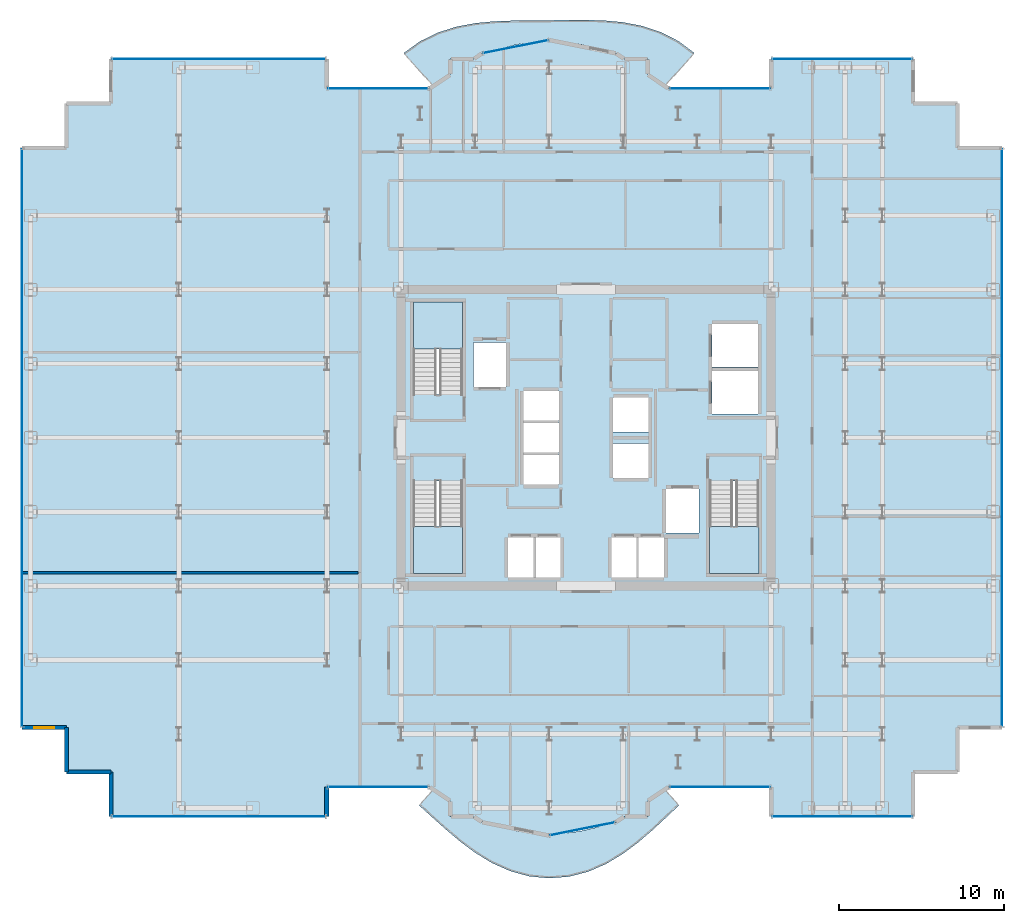
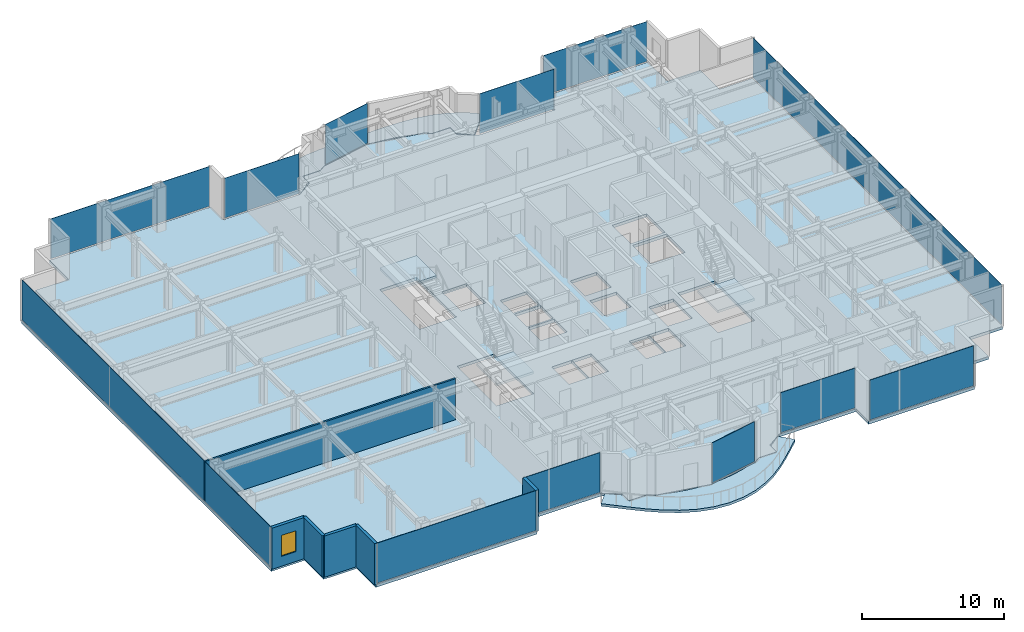
# One storey, part 14 of 23: 12 plates, 6 slabs, 6 walls, 1 window, 1 opening, 15 elements without a shape of their own.
"""IFC4 building model written with IfcOpenShell, lengths in metres."""

from ifc_helpers import new_model, si_unit, direction, frame, frame_2d, origin, origin_2d, place, context, subcontext, project, spatial, polyline, rectangle, outline, extrude, source, transform, mapped, material, layer, layer_set, type_object, element, fill, aggregate, save


model = new_model("IFC4")

# Units and contexts
model_context = context("Model", 3, precision=1e-05, world=origin(), true_north=direction((0.0, 1.0)))
body_context = subcontext(model_context, "Body", "Model", "MODEL_VIEW")
ifc_project = project(units=[si_unit("LENGTHUNIT", "METRE"), si_unit("AREAUNIT", "SQUARE_METRE"), si_unit("VOLUMEUNIT", "CUBIC_METRE"), si_unit("PLANEANGLEUNIT", "RADIAN"), si_unit("MASSUNIT", "GRAM", prefix="KILO")], contexts=[model_context])

# Site, building, storey
site_placement = place(None, origin())
site = spatial("IfcSite", under=ifc_project, at=site_placement, CompositionType="ELEMENT")
building_placement = place(site_placement, origin())
building = spatial("IfcBuilding", under=site, at=building_placement, Name="Nefas-Gora Pilgrimage Tower", CompositionType="ELEMENT")
storey_placement = place(building_placement, frame((0.0, 0.0, 156.39990234375)))
storey = spatial("IfcBuildingStorey", under=building, at=storey_placement, Name="L38", CompositionType="ELEMENT", Elevation=156.39990234375)

# Slabs
ifc_material_1 = material(Name="Concrete C40/50", Category="concrete")
ifc_layer_1 = layer(ifc_material_1, 0.22998046875)
ifc_layer_set_1 = layer_set([ifc_layer_1], Name="Concrete C40/50")
slab_type_1 = type_object("IfcSlabType", Name="SLB-BAL-P2", PredefinedType="FLOOR", material=ifc_layer_set_1)
slab_1_placement = place(storey_placement, frame((0.0, 0.0, -0.22998046875)))
element("IfcSlab", 1, at=slab_1_placement, inside=storey, type_object=slab_type_1, Name="L38 Sinusoidal Lobe Balcony Slab N (Phase 2)", PredefinedType="FLOOR", context=body_context, shape_type="SweptSolid", body=[
    extrude(outline(polyline([(-9.28759765625, 21.385986328125), (-9.224609375, 21.427978515625), (-8.538330078125, 21.9912109375), (-8.260009765625, 22.179931640625), (-8.260009765625, 23.02001953125), (-8.260009765625, 23.02099609375), (-8.259765625, 23.02197265625), (-8.259521484375, 23.02294921875), (-8.25927734375, 23.023681640625), (-8.2587890625, 23.024658203125), (-8.25830078125, 23.025634765625), (-8.2578125, 23.0263671875), (-8.257080078125, 23.027099609375), (-8.25634765625, 23.027587890625), (-8.255615234375, 23.0283203125), (-8.254638671875, 23.02880859375), (-8.25390625, 23.029296875), (-8.2529296875, 23.029541015625), (-8.251953125, 23.02978515625), (-8.2509765625, 23.030029296875), (-8.25, 23.030029296875), (-6.8271484375, 23.030029296875), (-6.31298828125, 23.37353515625), (-6.31201171875, 23.3740234375), (-6.311279296875, 23.37451171875), (-6.310302734375, 23.375), (-6.309326171875, 23.375), (-5.63037109375, 23.51025390625), (-5.102783203125, 23.685302734375), (-4.165283203125, 23.904052734375), (-3.211669921875, 24.035888671875), (-2.919921875, 24.04931640625), (-2.251953125, 24.18212890625), (-2.2509765625, 24.182373046875), (-2.25, 24.182373046875), (-2.2490234375, 24.182373046875), (-2.248046875, 24.18212890625), (-1.580078125, 24.04931640625), (-1.288330078125, 24.035888671875), (-0.334716796875, 23.904052734375), (0.602783203125, 23.685302734375), (1.13037109375, 23.51025390625), (1.809326171875, 23.375), (1.810302734375, 23.375), (1.811279296875, 23.37451171875), (1.81201171875, 23.3740234375), (1.81298828125, 23.37353515625), (2.3271484375, 23.030029296875), (3.75, 23.030029296875), (3.7509765625, 23.030029296875), (3.751953125, 23.02978515625), (3.7529296875, 23.029541015625), (3.75390625, 23.029296875), (3.754638671875, 23.02880859375), (3.755615234375, 23.0283203125), (3.75634765625, 23.027587890625), (3.757080078125, 23.027099609375), (3.7578125, 23.0263671875), (3.75830078125, 23.025634765625), (3.7587890625, 23.024658203125), (3.75927734375, 23.023681640625), (3.759521484375, 23.02294921875), (3.759765625, 23.02197265625), (3.760009765625, 23.02099609375), (3.760009765625, 23.02001953125), (3.760009765625, 22.179931640625), (4.038330078125, 21.9912109375), (4.724609375, 21.427978515625), (4.78759765625, 21.385986328125), (6.58251953125, 23.37939453125), (5.61669921875, 24.10498046875), (4.54248046875, 24.654296875), (3.401611328125, 25.0302734375), (2.23486328125, 25.25341796875), (1.074951171875, 25.359130859375), (-0.059326171875, 25.389404296875), (-1.16455078125, 25.3837890625), (-2.25, 25.37060546875), (-3.33349609375, 25.36181640625), (-4.43310546875, 25.349365234375), (-5.560302734375, 25.307861328125), (-6.714111328125, 25.19921875), (-7.87744140625, 24.9814453125), (-9.0205078125, 24.618408203125), (-10.102294921875, 24.085693359375), (-11.080810546875, 23.377685546875), (-9.28759765625, 21.385986328125)])), origin(), (0.0, 0.0, 1.0), 0.22998046875),
])
ifc_layer_2 = layer(ifc_material_1, 0.219970703125)
ifc_layer_set_2 = layer_set([ifc_layer_2], Name="Concrete C40/50")
slab_type_2 = type_object("IfcSlabType", Name="SLB-BAL-P6", PredefinedType="FLOOR", material=ifc_layer_set_2)
slab_2_placement = place(storey_placement, frame((0.0, 0.0, -0.219970703125)))
element("IfcSlab", 2, at=slab_2_placement, inside=storey, type_object=slab_type_2, Name="L38 Sinusoidal Lobe Balcony Slab S (Phase 6)", PredefinedType="FLOOR", context=body_context, shape_type="SweptSolid", body=[
    extrude(outline(polyline([(4.78759765625, -21.385986328125), (4.724609375, -21.427978515625), (4.038330078125, -21.9912109375), (3.760009765625, -22.179931640625), (3.760009765625, -23.02001953125), (3.760009765625, -23.02099609375), (3.759765625, -23.02197265625), (3.759521484375, -23.02294921875), (3.75927734375, -23.023681640625), (3.7587890625, -23.024658203125), (3.75830078125, -23.025634765625), (3.7578125, -23.0263671875), (3.757080078125, -23.027099609375), (3.75634765625, -23.027587890625), (3.755615234375, -23.0283203125), (3.754638671875, -23.02880859375), (3.75390625, -23.029296875), (3.7529296875, -23.029541015625), (3.751953125, -23.02978515625), (3.7509765625, -23.030029296875), (3.75, -23.030029296875), (2.3271484375, -23.030029296875), (1.81298828125, -23.37353515625), (1.81201171875, -23.3740234375), (1.811279296875, -23.37451171875), (1.810302734375, -23.375), (1.809326171875, -23.375), (1.13037109375, -23.51025390625), (0.602783203125, -23.685302734375), (-0.334716796875, -23.904052734375), (-1.288330078125, -24.035888671875), (-1.580078125, -24.04931640625), (-2.248046875, -24.18212890625), (-2.2490234375, -24.182373046875), (-2.25, -24.182373046875), (-2.2509765625, -24.182373046875), (-2.251953125, -24.18212890625), (-2.919921875, -24.04931640625), (-3.211669921875, -24.035888671875), (-4.165283203125, -23.904052734375), (-5.102783203125, -23.685302734375), (-5.63037109375, -23.51025390625), (-6.309326171875, -23.375), (-6.310302734375, -23.375), (-6.311279296875, -23.37451171875), (-6.31201171875, -23.3740234375), (-6.31298828125, -23.37353515625), (-6.8271484375, -23.030029296875), (-8.25, -23.030029296875), (-8.2509765625, -23.030029296875), (-8.251953125, -23.02978515625), (-8.2529296875, -23.029541015625), (-8.25390625, -23.029296875), (-8.254638671875, -23.02880859375), (-8.255615234375, -23.0283203125), (-8.25634765625, -23.027587890625), (-8.257080078125, -23.027099609375), (-8.2578125, -23.0263671875), (-8.25830078125, -23.025634765625), (-8.2587890625, -23.024658203125), (-8.25927734375, -23.023681640625), (-8.259521484375, -23.02294921875), (-8.259765625, -23.02197265625), (-8.260009765625, -23.02099609375), (-8.260009765625, -23.02001953125), (-8.260009765625, -22.179931640625), (-8.538330078125, -21.9912109375), (-9.224609375, -21.427978515625), (-9.28759765625, -21.385986328125), (-10.145751953125, -22.339111328125), (-9.34130859375, -23.06640625), (-8.52001953125, -23.801513671875), (-7.65576171875, -24.53173828125), (-6.724365234375, -25.226318359375), (-5.711181640625, -25.84228515625), (-4.615234375, -26.33203125), (-3.451904296875, -26.6513671875), (-2.25, -26.769287109375), (-1.0458984375, -26.67333984375), (0.122802734375, -26.3720703125), (1.2255859375, -25.8935546875), (2.2451171875, -25.280517578125), (3.1796875, -24.580322265625), (4.0419921875, -23.837646484375), (4.855712890625, -23.085693359375), (5.6474609375, -22.3408203125), (4.78759765625, -21.385986328125)])), origin(), (0.0, 0.0, 1.0), 0.219970703125),
])
ifc_layer_3 = layer(ifc_material_1, 0.25)
ifc_layer_set_3 = layer_set([ifc_layer_3], Name="Concrete C40/50")
slab_type_3 = type_object("IfcSlabType", Name="SLB-TWR-250", PredefinedType="FLOOR", material=ifc_layer_set_3)
slab_3_placement = place(storey_placement, frame((0.0, 0.0, -0.25)))
element("IfcSlab", 3, at=slab_3_placement, inside=storey, type_object=slab_type_3, Name="L38 Structural Floor Slab", PredefinedType="FLOOR", context=body_context, shape_type="SweptSolid", body=[
    extrude(outline(polyline([(5.01806640625, -21.219970703125), (11.25, -21.219970703125), (11.25, -23.02001953125), (19.8701171875, -23.02001953125), (19.8701171875, -20.320068359375), (22.570068359375, -20.320068359375), (22.570068359375, -17.6201171875), (25.27001953125, -17.6201171875), (25.27001953125, 17.6201171875), (22.570068359375, 17.6201171875), (22.570068359375, 20.320068359375), (19.8701171875, 20.320068359375), (19.8701171875, 23.02001953125), (11.25, 23.02001953125), (11.25, 21.219970703125), (5.01806640625, 21.219970703125), (3.75, 22.0673828125), (3.75, 23.02001953125), (2.32421875, 23.02001953125), (1.807373046875, 23.365234375), (-2.25, 24.17236328125), (-6.307373046875, 23.365234375), (-6.82421875, 23.02001953125), (-8.25, 23.02001953125), (-8.25, 22.0673828125), (-9.51806640625, 21.219970703125), (-15.75, 21.219970703125), (-15.75, 23.02001953125), (-28.8701171875, 23.02001953125), (-28.8701171875, 20.320068359375), (-31.570068359375, 20.320068359375), (-31.570068359375, 17.6201171875), (-34.27001953125, 17.6201171875), (-34.27001953125, -17.6201171875), (-31.570068359375, -17.6201171875), (-31.570068359375, -20.320068359375), (-28.8701171875, -20.320068359375), (-28.8701171875, -23.02001953125), (-15.75, -23.02001953125), (-15.75, -21.219970703125), (-9.51806640625, -21.219970703125), (-8.25, -22.0673828125), (-8.25, -23.02001953125), (-6.82421875, -23.02001953125), (-6.307373046875, -23.365234375), (-2.25, -24.17236328125), (1.807373046875, -23.365234375), (2.32421875, -23.02001953125), (3.75, -23.02001953125), (3.75, -22.0673828125), (5.01806640625, -21.219970703125)]), holes=[polyline([(-10.5, 2.639892578125), (-10.5, 8.25), (-7.5, 8.25), (-7.5, 2.639892578125), (-10.5, 2.639892578125)]), polyline([(10.5, -2.639892578125), (10.5, -8.25), (7.5, -8.25), (7.5, -2.639892578125), (10.5, -2.639892578125)]), polyline([(-7.5, -2.639892578125), (-7.5, -8.25), (-10.5, -8.25), (-10.5, -2.639892578125), (-7.5, -2.639892578125)]), polyline([(-6.85009765625, 5.800048828125), (-4.85009765625, 5.800048828125), (-4.85009765625, 3.10009765625), (-6.85009765625, 3.10009765625), (-6.85009765625, 5.800048828125)]), polyline([(4.85009765625, -3.10009765625), (6.85009765625, -3.10009765625), (6.85009765625, -5.800048828125), (4.85009765625, -5.800048828125), (4.85009765625, -3.10009765625)]), polyline([(7.64990234375, 4.050048828125), (10.449951171875, 4.050048828125), (10.449951171875, 1.449951171875), (7.64990234375, 1.449951171875), (7.64990234375, 4.050048828125)]), polyline([(7.64990234375, 6.89990234375), (10.449951171875, 6.89990234375), (10.449951171875, 4.300048828125), (7.64990234375, 4.300048828125), (7.64990234375, 6.89990234375)]), polyline([(-4.75, -6.050048828125), (-3.14990234375, -6.050048828125), (-3.14990234375, -8.5), (-4.75, -8.5), (-4.75, -6.050048828125)]), polyline([(-3.10009765625, -6.050048828125), (-1.550048828125, -6.050048828125), (-1.550048828125, -8.5), (-3.10009765625, -8.5), (-3.10009765625, -6.050048828125)]), polyline([(1.550048828125, -6.050048828125), (3.10009765625, -6.050048828125), (3.10009765625, -8.5), (1.550048828125, -8.5), (1.550048828125, -6.050048828125)]), polyline([(3.14990234375, -6.050048828125), (4.75, -6.050048828125), (4.75, -8.5), (3.14990234375, -8.5), (3.14990234375, -6.050048828125)]), polyline([(-3.800048828125, -1.050048828125), (-1.64990234375, -1.050048828125), (-1.64990234375, -2.85009765625), (-3.800048828125, -2.85009765625), (-3.800048828125, -1.050048828125)]), polyline([(-3.800048828125, 0.89990234375), (-1.64990234375, 0.89990234375), (-1.64990234375, -0.89990234375), (-3.800048828125, -0.89990234375), (-3.800048828125, 0.89990234375)]), polyline([(-3.800048828125, 2.85009765625), (-1.64990234375, 2.85009765625), (-1.64990234375, 1.050048828125), (-3.800048828125, 1.050048828125), (-3.800048828125, 2.85009765625)]), polyline([(1.64990234375, -0.35009765625), (3.800048828125, -0.35009765625), (3.800048828125, -2.449951171875), (1.64990234375, -2.449951171875), (1.64990234375, -0.35009765625)]), polyline([(1.64990234375, 2.449951171875), (3.800048828125, 2.449951171875), (3.800048828125, 0.35009765625), (1.64990234375, 0.35009765625), (1.64990234375, 2.449951171875)])]), origin(), (0.0, 0.0, 1.0), 0.25),
])

# Stair, slab
ifc_material_2 = material(Name="Concrete C45/55", Category="concrete")
stair_type = type_object("IfcStairType", Name="STR-1400-R1727", PredefinedType="HALF_TURN_STAIR", material=ifc_material_2)
stair_1_placement = place(storey_placement, origin())
stair_1 = element("IfcStair", 4, at=stair_1_placement, inside=storey, type_object=stair_type, Name="L38 Pressurised Tower Exit Stair ST-01", PredefinedType="HALF_TURN_STAIR")
ifc_layer_4 = layer(ifc_material_1, 0.199951171875)
ifc_layer_set_4 = layer_set([ifc_layer_4], Name="Concrete C40/50")
slab_type_4 = type_object("IfcSlabType", Name="STR-LAND-200", PredefinedType="LANDING", material=ifc_layer_set_4)
slab_4_placement = place(storey_placement, frame((0.0, 0.0, 1.7001953125)))
slab_4 = element("IfcSlab", 5, at=slab_4_placement, type_object=slab_type_4, Name="ST-01 landing 1", PredefinedType="LANDING", context=body_context, shape_type="SweptSolid", body=[
    extrude(outline(polyline([(-7.5, 5.39990234375), (-7.5, 8.25), (-10.5, 8.25), (-10.5, 5.39990234375), (-7.5, 5.39990234375)])), origin(), (0.0, 0.0, 1.0), 0.199951171875),
])
aggregate(stair_1, [slab_4])

stair_2_placement = place(storey_placement, origin())
stair_2 = element("IfcStair", 6, at=stair_2_placement, inside=storey, type_object=stair_type, Name="L38 Pressurised Tower Exit Stair ST-02", PredefinedType="HALF_TURN_STAIR")
slab_5_placement = place(storey_placement, frame((0.0, 0.0, 1.7001953125)))
slab_5 = element("IfcSlab", 7, at=slab_5_placement, type_object=slab_type_4, Name="ST-02 landing 1", PredefinedType="LANDING", context=body_context, shape_type="SweptSolid", body=[
    extrude(outline(polyline([(7.5, -5.39990234375), (7.5, -8.25), (10.5, -8.25), (10.5, -5.39990234375), (7.5, -5.39990234375)])), origin(), (0.0, 0.0, 1.0), 0.199951171875),
])
aggregate(stair_2, [slab_5])

stair_3_placement = place(storey_placement, origin())
stair_3 = element("IfcStair", 8, at=stair_3_placement, inside=storey, type_object=stair_type, Name="L38 Pressurised Tower Exit Stair ST-03", PredefinedType="HALF_TURN_STAIR")
slab_6_placement = place(storey_placement, frame((0.0, 0.0, 1.7001953125)))
slab_6 = element("IfcSlab", 9, at=slab_6_placement, type_object=slab_type_4, Name="ST-03 landing 1", PredefinedType="LANDING", context=body_context, shape_type="SweptSolid", body=[
    extrude(outline(polyline([(-10.5, -5.39990234375), (-10.5, -8.25), (-7.5, -8.25), (-7.5, -5.39990234375), (-10.5, -5.39990234375)])), origin(), (0.0, 0.0, 1.0), 0.199951171875),
])
aggregate(stair_3, [slab_6])

# Curtain wall, plate
ifc_material_3 = material(Name="Dark ceramic-fritted solar-control aluminium-glass curtain wall", Category="aluminium")
ifc_layer_5 = layer(ifc_material_3, 0.219970703125)
ifc_layer_set_5 = layer_set([ifc_layer_5], Name="Dark ceramic-fritted solar-control aluminium-glass curtain wall")
curtain_wall_type_1 = type_object("IfcCurtainWallType", Name="CW-SYS-5", PredefinedType="NOTDEFINED", material=ifc_layer_set_5)
curtain_wall_1_placement = place(storey_placement, origin())
curtain_wall_1 = element("IfcCurtainWall", 10, at=curtain_wall_1_placement, inside=storey, type_object=curtain_wall_type_1, Name="L38 Unitised Curtain Wall CW5", PredefinedType="NOTDEFINED")
ifc_material_4 = material(Name="Dark ceramic-printed low-e insulated glass", Category="glass")
ifc_layer_6 = layer(ifc_material_4, 0.028076171875)
ifc_layer_set_6 = layer_set([ifc_layer_6], Name="Dark ceramic-printed low-e insulated glass")
plate_type_1 = type_object("IfcPlateType", Name="CWP-PNL-5", PredefinedType="CURTAIN_PANEL", material=ifc_layer_set_6)
shared_shape_1 = source(origin(), body_context, "Body", "SweptSolid", [
    extrude(rectangle(XDim=6.052001953125, YDim=0.028076171875, at=origin_2d()), origin(), (0.0, 0.0, 1.0), 3.43994140625),
])
plate_1_placement = place(storey_placement, frame((8.134033203125, -21.219970703125, 0.10009765625), z_axis=(0.0, 0.0, 1.0), x_axis=(1.0, 0.0, 0.0)))
plate_1 = element("IfcPlate", 11, at=plate_1_placement, type_object=plate_type_1, Name="CW5 Ceramic-Fritted Glazing Panel 1", PredefinedType="CURTAIN_PANEL", context=body_context, shape_type="MappedRepresentation", body=[
    mapped(shared_shape_1, transform((0.0, 0.0, 0.0), x_axis=(1.0, 0.0, 0.0), y_axis=(0.0, 1.0, 0.0), z_axis=(0.0, 0.0, 1.0), scale=1.0)),
])
aggregate(curtain_wall_1, [plate_1])

curtain_wall_2_placement = place(storey_placement, origin())
curtain_wall_2 = element("IfcCurtainWall", 12, at=curtain_wall_2_placement, inside=storey, type_object=curtain_wall_type_1, Name="L38 Unitised Curtain Wall CW5", PredefinedType="NOTDEFINED")
plate_2_placement = place(storey_placement, frame((8.134033203125, 21.219970703125, 0.10009765625), z_axis=(0.0, 0.0, 1.0), x_axis=(-1.0, 0.0, 0.0)))
plate_2 = element("IfcPlate", 13, at=plate_2_placement, type_object=plate_type_1, Name="CW5 Ceramic-Fritted Glazing Panel 1", PredefinedType="CURTAIN_PANEL", context=body_context, shape_type="MappedRepresentation", body=[
    mapped(shared_shape_1, transform((0.0, 0.0, 0.0), x_axis=(1.0, 0.0, 0.0), y_axis=(0.0, 1.0, 0.0), z_axis=(0.0, 0.0, 1.0), scale=1.0)),
])
aggregate(curtain_wall_2, [plate_2])

curtain_wall_3_placement = place(storey_placement, origin())
curtain_wall_3 = element("IfcCurtainWall", 14, at=curtain_wall_3_placement, inside=storey, type_object=curtain_wall_type_1, Name="L38 Unitised Curtain Wall CW5", PredefinedType="NOTDEFINED")
plate_3_placement = place(storey_placement, frame((-12.634033203125, 21.219970703125, 0.10009765625), z_axis=(0.0, 0.0, 1.0), x_axis=(-1.0, 0.0, 0.0)))
plate_3 = element("IfcPlate", 15, at=plate_3_placement, type_object=plate_type_1, Name="CW5 Ceramic-Fritted Glazing Panel 1", PredefinedType="CURTAIN_PANEL", context=body_context, shape_type="MappedRepresentation", body=[
    mapped(shared_shape_1, transform((0.0, 0.0, 0.0), x_axis=(1.0, 0.0, 0.0), y_axis=(0.0, 1.0, 0.0), z_axis=(0.0, 0.0, 1.0), scale=1.0)),
])
aggregate(curtain_wall_3, [plate_3])

curtain_wall_4_placement = place(storey_placement, origin())
curtain_wall_4 = element("IfcCurtainWall", 16, at=curtain_wall_4_placement, inside=storey, type_object=curtain_wall_type_1, Name="L38 Unitised Curtain Wall CW5", PredefinedType="NOTDEFINED")
plate_4_placement = place(storey_placement, frame((-12.634033203125, -21.219970703125, 0.10009765625), z_axis=(0.0, 0.0, 1.0), x_axis=(1.0, 0.0, 0.0)))
plate_4 = element("IfcPlate", 17, at=plate_4_placement, type_object=plate_type_1, Name="CW5 Ceramic-Fritted Glazing Panel 1", PredefinedType="CURTAIN_PANEL", context=body_context, shape_type="MappedRepresentation", body=[
    mapped(shared_shape_1, transform((0.0, 0.0, 0.0), x_axis=(1.0, 0.0, 0.0), y_axis=(0.0, 1.0, 0.0), z_axis=(0.0, 0.0, 1.0), scale=1.0)),
])
aggregate(curtain_wall_4, [plate_4])

curtain_wall_5_placement = place(storey_placement, origin())
curtain_wall_5 = element("IfcCurtainWall", 18, at=curtain_wall_5_placement, inside=storey, type_object=curtain_wall_type_1, Name="L38 Unitised Curtain Wall CW5", PredefinedType="NOTDEFINED")
shared_shape_2 = source(origin(), body_context, "Body", "SweptSolid", [
    extrude(rectangle(XDim=3.956787109375, YDim=0.028076171875, at=origin_2d()), origin(), (0.0, 0.0, 1.0), 3.43994140625),
])
plate_5_placement = place(storey_placement, frame((-4.278564453125, 23.768798828125, 0.10009765625), z_axis=(0.0, 0.0, 1.0), x_axis=(-0.980782896852, -0.195102304554, 0.0)))
plate_5 = element("IfcPlate", 19, at=plate_5_placement, type_object=plate_type_1, Name="CW5 Ceramic-Fritted Glazing Panel 1", PredefinedType="CURTAIN_PANEL", context=body_context, shape_type="MappedRepresentation", body=[
    mapped(shared_shape_2, transform((0.0, 0.0, 0.0), x_axis=(1.0, 0.0, 0.0), y_axis=(0.0, 1.0, 0.0), z_axis=(0.0, 0.0, 1.0), scale=1.0)),
])
aggregate(curtain_wall_5, [plate_5])

curtain_wall_6_placement = place(storey_placement, origin())
curtain_wall_6 = element("IfcCurtainWall", 20, at=curtain_wall_6_placement, inside=storey, type_object=curtain_wall_type_1, Name="L38 Unitised Curtain Wall CW5", PredefinedType="NOTDEFINED")
plate_6_placement = place(storey_placement, frame((-0.221435546875, -23.768798828125, 0.10009765625), z_axis=(0.0, 0.0, 1.0), x_axis=(0.980782896852, 0.195102304554, 0.0)))
plate_6 = element("IfcPlate", 21, at=plate_6_placement, type_object=plate_type_1, Name="CW5 Ceramic-Fritted Glazing Panel 1", PredefinedType="CURTAIN_PANEL", context=body_context, shape_type="MappedRepresentation", body=[
    mapped(shared_shape_2, transform((0.0, 0.0, 0.0), x_axis=(1.0, 0.0, 0.0), y_axis=(0.0, 1.0, 0.0), z_axis=(0.0, 0.0, 1.0), scale=1.0)),
])
aggregate(curtain_wall_6, [plate_6])

ifc_layer_7 = layer(ifc_material_3, 0.219970703125)
ifc_layer_set_7 = layer_set([ifc_layer_7], Name="Dark ceramic-fritted solar-control aluminium-glass curtain wall")
curtain_wall_type_2 = type_object("IfcCurtainWallType", Name="CW-SYS-3", PredefinedType="NOTDEFINED", material=ifc_layer_set_7)
curtain_wall_7_placement = place(storey_placement, origin())
curtain_wall_7 = element("IfcCurtainWall", 22, at=curtain_wall_7_placement, inside=storey, type_object=curtain_wall_type_2, Name="L38 Unitised Curtain Wall CW3", PredefinedType="NOTDEFINED")
ifc_layer_8 = layer(ifc_material_4, 0.033935546875)
ifc_layer_set_8 = layer_set([ifc_layer_8], Name="Dark ceramic-printed low-e insulated glass")
plate_type_2 = type_object("IfcPlateType", Name="CWP-PNL-3", PredefinedType="CURTAIN_PANEL", material=ifc_layer_set_8)
shared_shape_3 = source(origin(), body_context, "Body", "SweptSolid", [
    extrude(rectangle(XDim=8.43994140625, YDim=0.033935546875, at=origin_2d()), origin(), (0.0, 0.0, 1.0), 3.43994140625),
])
plate_7_placement = place(storey_placement, frame((15.56005859375, -23.02001953125, 0.10009765625), z_axis=(0.0, 0.0, 1.0), x_axis=(1.0, 0.0, 0.0)))
plate_7 = element("IfcPlate", 23, at=plate_7_placement, type_object=plate_type_2, Name="CW3 Ceramic-Fritted Glazing Panel 1", PredefinedType="CURTAIN_PANEL", context=body_context, shape_type="MappedRepresentation", body=[
    mapped(shared_shape_3, transform((0.0, 0.0, 0.0), x_axis=(1.0, 0.0, 0.0), y_axis=(0.0, 1.0, 0.0), z_axis=(0.0, 0.0, 1.0), scale=1.0)),
])
aggregate(curtain_wall_7, [plate_7])

curtain_wall_8_placement = place(storey_placement, origin())
curtain_wall_8 = element("IfcCurtainWall", 24, at=curtain_wall_8_placement, inside=storey, type_object=curtain_wall_type_2, Name="L38 Unitised Curtain Wall CW3", PredefinedType="NOTDEFINED")
plate_8_placement = place(storey_placement, frame((15.56005859375, 23.02001953125, 0.10009765625), z_axis=(0.0, 0.0, 1.0), x_axis=(-1.0, 0.0, 0.0)))
plate_8 = element("IfcPlate", 25, at=plate_8_placement, type_object=plate_type_2, Name="CW3 Ceramic-Fritted Glazing Panel 1", PredefinedType="CURTAIN_PANEL", context=body_context, shape_type="MappedRepresentation", body=[
    mapped(shared_shape_3, transform((0.0, 0.0, 0.0), x_axis=(1.0, 0.0, 0.0), y_axis=(0.0, 1.0, 0.0), z_axis=(0.0, 0.0, 1.0), scale=1.0)),
])
aggregate(curtain_wall_8, [plate_8])

curtain_wall_9_placement = place(storey_placement, origin())
curtain_wall_9 = element("IfcCurtainWall", 26, at=curtain_wall_9_placement, inside=storey, type_object=curtain_wall_type_2, Name="L38 Unitised Curtain Wall CW3", PredefinedType="NOTDEFINED")
shared_shape_4 = source(origin(), body_context, "Body", "SweptSolid", [
    extrude(rectangle(XDim=12.93994140625, YDim=0.033935546875, at=origin_2d()), origin(), (0.0, 0.0, 1.0), 3.43994140625),
])
plate_9_placement = place(storey_placement, frame((-22.31005859375, 23.02001953125, 0.10009765625), z_axis=(0.0, 0.0, 1.0), x_axis=(-1.0, 0.0, 0.0)))
plate_9 = element("IfcPlate", 27, at=plate_9_placement, type_object=plate_type_2, Name="CW3 Ceramic-Fritted Glazing Panel 1", PredefinedType="CURTAIN_PANEL", context=body_context, shape_type="MappedRepresentation", body=[
    mapped(shared_shape_4, transform((0.0, 0.0, 0.0), x_axis=(1.0, 0.0, 0.0), y_axis=(0.0, 1.0, 0.0), z_axis=(0.0, 0.0, 1.0), scale=1.0)),
])
aggregate(curtain_wall_9, [plate_9])

curtain_wall_10_placement = place(storey_placement, origin())
curtain_wall_10 = element("IfcCurtainWall", 28, at=curtain_wall_10_placement, inside=storey, type_object=curtain_wall_type_2, Name="L38 Unitised Curtain Wall CW3", PredefinedType="NOTDEFINED")
plate_10_placement = place(storey_placement, frame((-22.31005859375, -23.02001953125, 0.10009765625), z_axis=(0.0, 0.0, 1.0), x_axis=(1.0, 0.0, 0.0)))
plate_10 = element("IfcPlate", 29, at=plate_10_placement, type_object=plate_type_2, Name="CW3 Ceramic-Fritted Glazing Panel 1", PredefinedType="CURTAIN_PANEL", context=body_context, shape_type="MappedRepresentation", body=[
    mapped(shared_shape_4, transform((0.0, 0.0, 0.0), x_axis=(1.0, 0.0, 0.0), y_axis=(0.0, 1.0, 0.0), z_axis=(0.0, 0.0, 1.0), scale=1.0)),
])
aggregate(curtain_wall_10, [plate_10])

curtain_wall_11_placement = place(storey_placement, origin())
curtain_wall_11 = element("IfcCurtainWall", 30, at=curtain_wall_11_placement, inside=storey, type_object=curtain_wall_type_2, Name="L38 Unitised Curtain Wall CW3", PredefinedType="NOTDEFINED")
shared_shape_5 = source(origin(), body_context, "Body", "SweptSolid", [
    extrude(rectangle(XDim=35.06005859375, YDim=0.033935546875, at=origin_2d()), origin(), (0.0, 0.0, 1.0), 3.43994140625),
])
plate_11_placement = place(storey_placement, frame((25.27001953125, 0.0, 0.10009765625), z_axis=(0.0, 0.0, 1.0), x_axis=(0.0, 1.0, 0.0)))
plate_11 = element("IfcPlate", 31, at=plate_11_placement, type_object=plate_type_2, Name="CW3 Ceramic-Fritted Glazing Panel 1", PredefinedType="CURTAIN_PANEL", context=body_context, shape_type="MappedRepresentation", body=[
    mapped(shared_shape_5, transform((0.0, 0.0, 0.0), x_axis=(1.0, 0.0, 0.0), y_axis=(0.0, 1.0, 0.0), z_axis=(0.0, 0.0, 1.0), scale=1.0)),
])
aggregate(curtain_wall_11, [plate_11])

curtain_wall_12_placement = place(storey_placement, origin())
curtain_wall_12 = element("IfcCurtainWall", 32, at=curtain_wall_12_placement, inside=storey, type_object=curtain_wall_type_2, Name="L38 Unitised Curtain Wall CW3", PredefinedType="NOTDEFINED")
plate_12_placement = place(storey_placement, frame((-34.27001953125, 0.0, 0.10009765625), z_axis=(0.0, 0.0, 1.0), x_axis=(0.0, -1.0, 0.0)))
plate_12 = element("IfcPlate", 33, at=plate_12_placement, type_object=plate_type_2, Name="CW3 Ceramic-Fritted Glazing Panel 1", PredefinedType="CURTAIN_PANEL", context=body_context, shape_type="MappedRepresentation", body=[
    mapped(shared_shape_5, transform((0.0, 0.0, 0.0), x_axis=(1.0, 0.0, 0.0), y_axis=(0.0, 1.0, 0.0), z_axis=(0.0, 0.0, 1.0), scale=1.0)),
])
aggregate(curtain_wall_12, [plate_12])

# Wall
ifc_material_5 = material(Name="Precast concrete C40/50", Category="concrete")
ifc_layer_9 = layer(ifc_material_5, 0.260009765625)
ifc_layer_set_9 = layer_set([ifc_layer_9], Name="Precast concrete C40/50")
wall_type_1 = type_object("IfcWallType", Name="EW-PORTAL-260", PredefinedType="SOLIDWALL", material=ifc_layer_set_9)
shared_shape_6 = source(origin(), body_context, "Body", "SweptSolid", [
    extrude(rectangle(XDim=1.800048828125, YDim=0.260009765625, at=frame_2d((0.89990234375, 0.0))), origin(), (0.0, 0.0, 1.0), 3.550048828125),
])
wall_1_placement = place(storey_placement, frame((-15.75, -23.02001953125, 0.0), z_axis=(0.0, 0.0, 1.0), x_axis=(0.0, 1.0, 0.0)))
element("IfcWall", 34, at=wall_1_placement, inside=storey, type_object=wall_type_1, Name="L38 Lobe Shoulder Precast Spandrel Pier 29", PredefinedType="SOLIDWALL", context=body_context, shape_type="MappedRepresentation", body=[
    mapped(shared_shape_6, transform((0.0, 0.0, 0.0), x_axis=(1.0, 0.0, 0.0), y_axis=(0.0, 1.0, 0.0), z_axis=(0.0, 0.0, 1.0), scale=1.0)),
])

# Wall, opening, window
ifc_material_6 = material(Name="Precast concrete C45/55", Category="concrete")
ifc_layer_10 = layer(ifc_material_6, 0.239990234375)
ifc_layer_set_10 = layer_set([ifc_layer_10], Name="Precast concrete C45/55")
wall_type_2 = type_object("IfcWallType", Name="EW-SERR-240", PredefinedType="SHEAR", material=ifc_layer_set_10)
shared_shape_7 = source(origin(), body_context, "Body", "SweptSolid", [
    extrude(rectangle(XDim=2.699951171875, YDim=0.239990234375, at=frame_2d((1.35009765625, 0.0))), origin(), (0.0, 0.0, 1.0), 3.550048828125),
])
wall_2_placement = place(storey_placement, frame((-34.27001953125, -17.6201171875, 0.0), z_axis=(0.0, 0.0, 1.0), x_axis=(1.0, 0.0, 0.0)))
wall_2 = element("IfcWall", 35, at=wall_2_placement, inside=storey, type_object=wall_type_2, Name="L38 Serrated Corner Shear Pier Wall 25", PredefinedType="SHEAR", context=body_context, shape_type="MappedRepresentation", body=[
    mapped(shared_shape_7, transform((0.0, 0.0, 0.0), x_axis=(1.0, 0.0, 0.0), y_axis=(0.0, 1.0, 0.0), z_axis=(0.0, 0.0, 1.0), scale=1.0)),
])
opening_placement = place(wall_2_placement, frame((0.75, 0.0, 0.85009765625)))
opening = element("IfcOpeningElement", 36, at=opening_placement, cuts=wall_2, Name="Opening W-V1", PredefinedType="OPENING", context=body_context, shape_type="SweptSolid", body=[
    extrude(rectangle(XDim=1.199951171875, YDim=1.800048828125, at=frame_2d((0.60009765625, 0.89990234375))), frame((0.0, 0.1298828125, 0.0), z_axis=(0.0, -1.0, 0.0), x_axis=(1.0, 0.0, 0.0)), (0.0, 0.0, 1.0), 0.260009765625),
])
ifc_material_7 = material(Name="Dark ceramic-fritted operable aluminium-glass window", Category="aluminium")
window_type = type_object("IfcWindowType", Name="WIN-VENT-1200x1800", PartitioningType="SINGLE_PANEL", PredefinedType="WINDOW", material=ifc_material_7)
shared_shape_8 = source(origin(), body_context, "Body", "SweptSolid", [
    extrude(rectangle(XDim=1.199951171875, YDim=1.800048828125, at=frame_2d((0.60009765625, 0.89990234375))), frame((0.0, 0.030029296875, 0.0), z_axis=(0.0, -1.0, 0.0), x_axis=(1.0, 0.0, 0.0)), (0.0, 0.0, 1.0), 0.06005859375),
])
window_placement = place(opening_placement, origin())
window = element("IfcWindow", 37, at=window_placement, inside=storey, type_object=window_type, Name="L38 Operable Parallel-Outswing Window 25", OverallHeight=1.800048828125, OverallWidth=1.199951171875, PartitioningType="SINGLE_PANEL", PredefinedType="WINDOW", context=body_context, shape_type="MappedRepresentation", body=[
    mapped(shared_shape_8, transform((0.0, 0.0, 0.0), x_axis=(1.0, 0.0, 0.0), y_axis=(0.0, 1.0, 0.0), z_axis=(0.0, 0.0, 1.0), scale=1.0)),
])
fill(opening, window)

# Walls
for number, where, z_axis, x_axis, name in (
    (38, (-31.570068359375, -17.6201171875, 0.0), (0.0, 0.0, 1.0), (0.0, -1.0, 0.0), "L38 Serrated Corner Shear Pier Wall 26"),
    (39, (-31.570068359375, -20.320068359375, 0.0), (0.0, 0.0, 1.0), (1.0, 0.0, 0.0), "L38 Serrated Corner Shear Pier Wall 27"),
    (40, (-28.8701171875, -20.320068359375, 0.0), (0.0, 0.0, 1.0), (0.0, -1.0, 0.0), "L38 Serrated Corner Shear Pier Wall 28"),
):
    element("IfcWall", number, at=place(storey_placement, frame(where, z_axis=z_axis, x_axis=x_axis)), inside=storey, type_object=wall_type_2, Name=name, PredefinedType="SHEAR", context=body_context, shape_type="MappedRepresentation", body=[
        mapped(shared_shape_7, transform((0.0, 0.0, 0.0), x_axis=(1.0, 0.0, 0.0), y_axis=(0.0, 1.0, 0.0), z_axis=(0.0, 0.0, 1.0), scale=1.0)),
    ])
ifc_material_8 = material(Name="Gypsum twin-stud partition")
ifc_layer_11 = layer(ifc_material_8, 0.139892578125)
ifc_layer_set_11 = layer_set([ifc_layer_11], Name="Gypsum twin-stud partition")
wall_type_3 = type_object("IfcWallType", Name="IW-UNIT-140", PredefinedType="PARTITIONING", material=ifc_layer_set_11)
shared_shape_9 = source(origin(), body_context, "Body", "SweptSolid", [
    extrude(rectangle(XDim=20.429931640625, YDim=0.139892578125, at=frame_2d((10.21484375, 0.0))), origin(), (0.0, 0.0, 1.0), 3.53515625),
])
wall_3_placement = place(storey_placement, frame((-34.2900390625, -8.205078125, 0.0), z_axis=(0.0, 0.0, 1.0), x_axis=(1.0, 0.0, 0.0)))
element("IfcWall", 41, at=wall_3_placement, inside=storey, type_object=wall_type_3, Name="L38 Pilgrim Tea and Beverage Pantry Partition Wall 33", PredefinedType="PARTITIONING", context=body_context, shape_type="MappedRepresentation", body=[
    mapped(shared_shape_9, transform((0.0, 0.0, 0.0), x_axis=(1.0, 0.0, 0.0), y_axis=(0.0, 1.0, 0.0), z_axis=(0.0, 0.0, 1.0), scale=1.0)),
])

save(model, "model.ifc")
